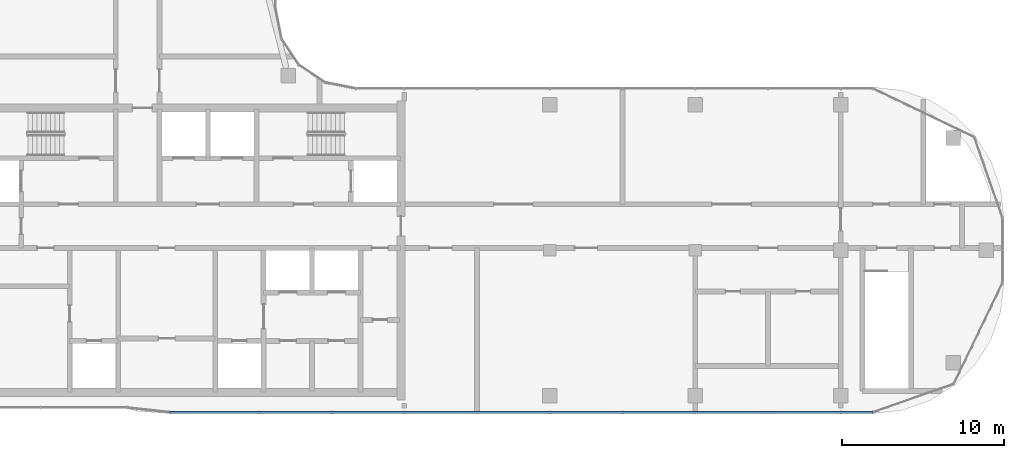
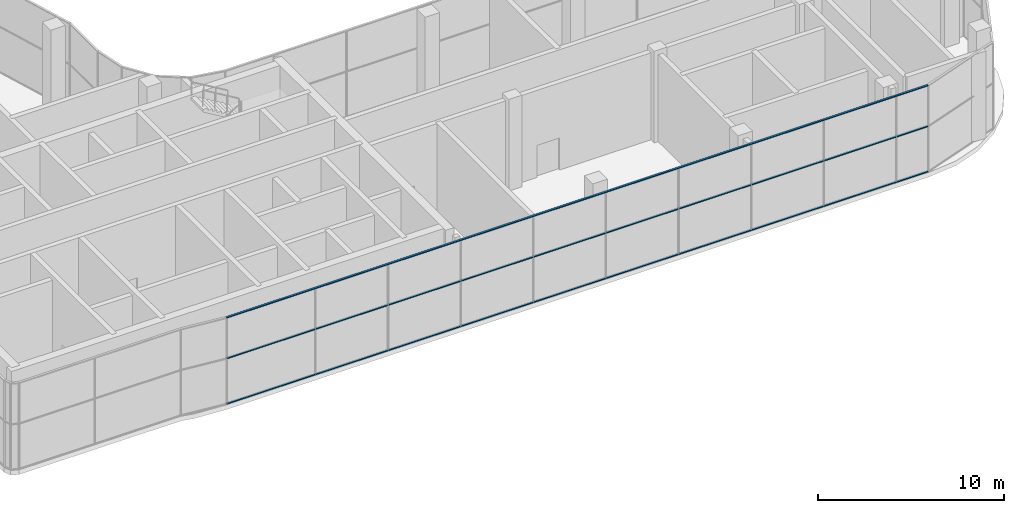
# One storey, part 5 of 21: 3 members, 1 element without a shape of its own.
"""IFC4 building model written with IfcOpenShell, lengths in metres."""

from ifc_helpers import new_model, si_unit, direction, frame, origin, origin_2d, place, context, subcontext, project, spatial, rectangle, extrude, material, material_profile, profile_set, type_object, element, aggregate, save


model = new_model("IFC4")

# Units and contexts
model_context = context("Model", 3, precision=1e-05, world=origin(), true_north=direction((0.0, 1.0)))
body_context = subcontext(model_context, "Body", "Model", "MODEL_VIEW")
ifc_project = project(units=[si_unit("LENGTHUNIT", "METRE"), si_unit("AREAUNIT", "SQUARE_METRE"), si_unit("VOLUMEUNIT", "CUBIC_METRE"), si_unit("PLANEANGLEUNIT", "RADIAN"), si_unit("MASSUNIT", "GRAM", prefix="KILO")], contexts=[model_context])

# Site, building, storey
site_placement = place(None, origin())
site = spatial("IfcSite", under=ifc_project, at=site_placement, CompositionType="ELEMENT")
building_placement = place(site_placement, origin())
building = spatial("IfcBuilding", under=site, at=building_placement, Name="Ogive Portal Towers", CompositionType="ELEMENT")
storey_placement = place(building_placement, frame((0.0, 0.0, 266.89990234375)))
storey = spatial("IfcBuildingStorey", under=building, at=storey_placement, Name="L65", CompositionType="ELEMENT", Elevation=266.89990234375)

# Curtain wall, members
ifc_material_1 = material(Name="Glass, clear low-iron insulated glazing", Category="glass")
curtain_wall_type = type_object("IfcCurtainWallType", Name="CW OBSERVATION WALL", PredefinedType="NOTDEFINED", material=ifc_material_1)
curtain_wall_placement = place(storey_placement, origin())
curtain_wall = element("IfcCurtainWall", 1, at=curtain_wall_placement, inside=storey, type_object=curtain_wall_type, Name="A:L65:f05:cw0", PredefinedType="NOTDEFINED")
ifc_material_2 = material(Name="Aluminium 6063 anodised", Category="aluminium")
ifc_material_profile = material_profile(ifc_material_2, rectangle(XDim=0.1201171875, YDim=0.06005859375, at=origin_2d()), Name="AL 120x60")
ifc_profile_set = profile_set([ifc_material_profile], Name="Aluminium 6063 anodised")
member_type = type_object("IfcMemberType", Name="CW TRANSOM 60x120", PredefinedType="USERDEFINED", material=ifc_profile_set)
member_1_placement = place(storey_placement, frame((44.00439453125, 20.47998046875, 0.030029296875), z_axis=(1.0, 0.0, 0.0), x_axis=(0.0, 1.0, 0.0)))
member_1 = element("IfcMember", 2, at=member_1_placement, type_object=member_type, Name="transom", ObjectType="TRANSOM", PredefinedType="USERDEFINED", context=body_context, shape_type="SweptSolid", body=[
    extrude(rectangle(XDim=0.1201171875, YDim=0.06005859375, at=origin_2d()), origin(), (0.0, 0.0, 1.0), 43.48193359375),
])
member_2_placement = place(storey_placement, frame((44.00439453125, 20.47998046875, 3.0), z_axis=(1.0, 0.0, 0.0), x_axis=(0.0, 1.0, 0.0)))
member_2 = element("IfcMember", 3, at=member_2_placement, type_object=member_type, Name="transom", ObjectType="TRANSOM", PredefinedType="USERDEFINED", context=body_context, shape_type="SweptSolid", body=[
    extrude(rectangle(XDim=0.1201171875, YDim=0.06005859375, at=origin_2d()), origin(), (0.0, 0.0, 1.0), 43.48193359375),
])
member_3_placement = place(storey_placement, frame((44.00439453125, 20.47998046875, 5.670166015625), z_axis=(1.0, 0.0, 0.0), x_axis=(0.0, 1.0, 0.0)))
member_3 = element("IfcMember", 4, at=member_3_placement, type_object=member_type, Name="transom", ObjectType="TRANSOM", PredefinedType="USERDEFINED", context=body_context, shape_type="SweptSolid", body=[
    extrude(rectangle(XDim=0.1201171875, YDim=0.06005859375, at=origin_2d()), origin(), (0.0, 0.0, 1.0), 43.48193359375),
])
aggregate(curtain_wall, [member_1, member_2, member_3])

save(model, "model.ifc")
